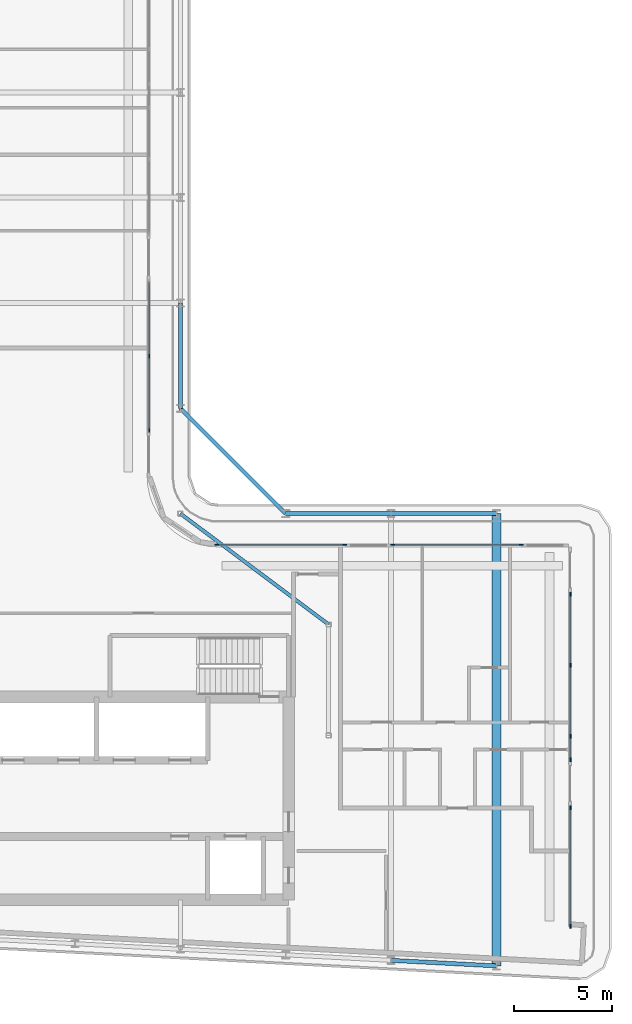
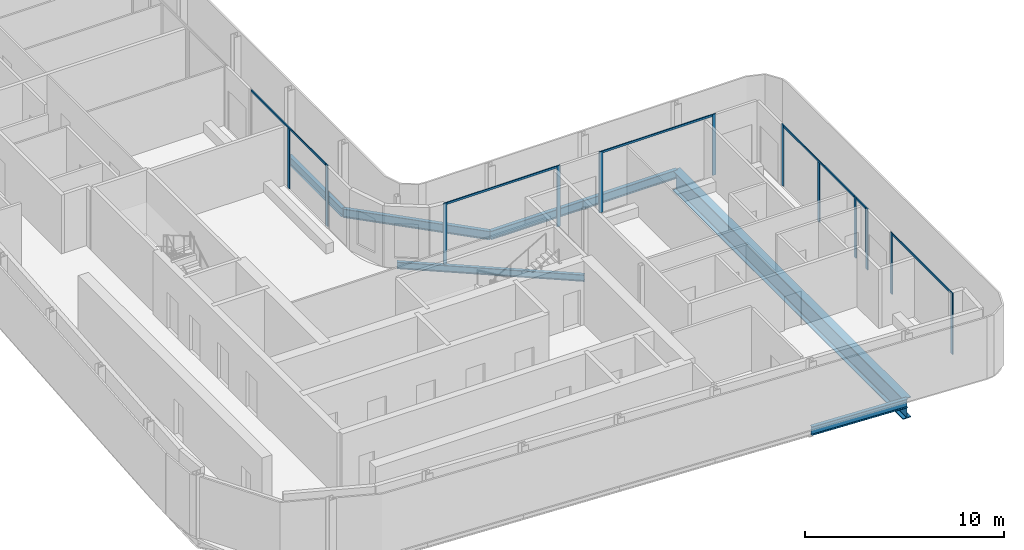
# One storey, part 6 of 21: 18 members, 7 beams, 6 elements without a shape of their own.
"""IFC4 building model written with IfcOpenShell, lengths in metres."""

from ifc_helpers import new_model, si_unit, direction, frame, origin, origin_2d, place, context, subcontext, project, spatial, rectangle, i_section, extrude, material, layer, layer_set, material_profile, profile_set, type_object, element, aggregate, save


model = new_model("IFC4")

# Units and contexts
model_context = context("Model", 3, precision=1e-05, world=origin(), true_north=direction((0.0, 1.0)))
body_context = subcontext(model_context, "Body", "Model", "MODEL_VIEW")
ifc_project = project(units=[si_unit("LENGTHUNIT", "METRE"), si_unit("AREAUNIT", "SQUARE_METRE"), si_unit("VOLUMEUNIT", "CUBIC_METRE"), si_unit("PLANEANGLEUNIT", "RADIAN"), si_unit("MASSUNIT", "GRAM", prefix="KILO")], contexts=[model_context])

# Site, building, storey
site_placement = place(None, origin())
site = spatial("IfcSite", under=ifc_project, at=site_placement, CompositionType="ELEMENT")
building_placement = place(site_placement, origin())
building = spatial("IfcBuilding", under=site, at=building_placement, Name="Kheshtan School and Residences Tower", CompositionType="ELEMENT")
storey_placement = place(building_placement, frame((0.0, 0.0, 290.300048828125)))
storey = spatial("IfcBuildingStorey", under=building, at=storey_placement, Name="L68", CompositionType="ELEMENT", Elevation=290.300048828125)

# Beams
ifc_material_1 = material(Name="Steel ASTM A992 Grade 50", Category="steel")
ifc_material_profile_1 = material_profile(ifc_material_1, i_section(OverallWidth=0.180908203125, OverallDepth=0.4169921875, WebThickness=0.010986328125, FlangeThickness=0.018310546875, FilletRadius=0.012451171875, at=origin_2d()), Name="W410x85")
ifc_profile_set_1 = profile_set([ifc_material_profile_1], Name="Steel ASTM A992 Grade 50")
beam_type_1 = type_object("IfcBeamType", Name="Beam FB3 W410x85 ASTM A992 Grade 50", PredefinedType="BEAM", material=ifc_profile_set_1)
beam_1_placement = place(storey_placement, frame((47.60009765625, 45.60009765625, -0.358642578125), z_axis=(0.800798828004, -0.598933416222, 0.0), x_axis=(0.598933416222, 0.800798828004, 0.0)))
element("IfcBeam", 1, at=beam_1_placement, inside=storey, type_object=beam_type_1, Name="Floor beam IC", PredefinedType="BEAM", context=body_context, shape_type="SweptSolid", body=[
    extrude(i_section(OverallWidth=0.180908203125, OverallDepth=0.4169921875, WebThickness=0.010986328125, FlangeThickness=0.018310546875, FilletRadius=0.012451171875, at=origin_2d()), origin(), (0.0, 0.0, 1.0), 9.490234375),
])
ifc_material_profile_2 = material_profile(ifc_material_1, i_section(OverallWidth=0.208984375, OverallDepth=0.532958984375, WebThickness=0.01025390625, FlangeThickness=0.015625, FilletRadius=0.013916015625, at=origin_2d()), Name="W530x92")
ifc_profile_set_2 = profile_set([ifc_material_profile_2], Name="Steel ASTM A992 Grade 50")
beam_type_2 = type_object("IfcBeamType", Name="Beam SP3 W530x92 ASTM A992 Grade 50", PredefinedType="BEAM", material=ifc_profile_set_2)
beam_2_placement = place(storey_placement, frame((47.60009765625, 56.39990234375, -0.41650390625), z_axis=(0.0, -1.0, 0.0), x_axis=(1.0, 0.0, 0.0)))
element("IfcBeam", 2, at=beam_2_placement, inside=storey, type_object=beam_type_2, Name="Spandrel beam C081-C079", PredefinedType="BEAM", context=body_context, shape_type="SweptSolid", body=[
    extrude(i_section(OverallWidth=0.208984375, OverallDepth=0.532958984375, WebThickness=0.01025390625, FlangeThickness=0.015625, FilletRadius=0.013916015625, at=origin_2d()), origin(), (0.0, 0.0, 1.0), 5.39990234375),
])
beam_3_placement = place(storey_placement, frame((47.60009765625, 51.0, -0.41650390625), z_axis=(0.707106781187, -0.707106781187, 0.0), x_axis=(0.707106781187, 0.707106781187, 0.0)))
element("IfcBeam", 3, at=beam_3_placement, inside=storey, type_object=beam_type_2, Name="Spandrel beam C079-C061", PredefinedType="BEAM", context=body_context, shape_type="SweptSolid", body=[
    extrude(i_section(OverallWidth=0.208984375, OverallDepth=0.532958984375, WebThickness=0.01025390625, FlangeThickness=0.015625, FilletRadius=0.013916015625, at=origin_2d()), origin(), (0.0, 0.0, 1.0), 7.63671875),
])
beam_4_placement = place(storey_placement, frame((53.0, 45.60009765625, -0.41650390625), z_axis=(1.0, 0.0, 0.0), x_axis=(0.0, 1.0, 0.0)))
element("IfcBeam", 4, at=beam_4_placement, inside=storey, type_object=beam_type_2, Name="Spandrel beam C061-C062", PredefinedType="BEAM", context=body_context, shape_type="SweptSolid", body=[
    extrude(i_section(OverallWidth=0.208984375, OverallDepth=0.532958984375, WebThickness=0.01025390625, FlangeThickness=0.015625, FilletRadius=0.013916015625, at=origin_2d()), origin(), (0.0, 0.0, 1.0), 5.39990234375),
])
beam_5_placement = place(storey_placement, frame((58.39990234375, 45.60009765625, -0.41650390625), z_axis=(1.0, 0.0, 0.0), x_axis=(0.0, 1.0, 0.0)))
element("IfcBeam", 5, at=beam_5_placement, inside=storey, type_object=beam_type_2, Name="Spandrel beam C062-C063", PredefinedType="BEAM", context=body_context, shape_type="SweptSolid", body=[
    extrude(i_section(OverallWidth=0.208984375, OverallDepth=0.532958984375, WebThickness=0.01025390625, FlangeThickness=0.015625, FilletRadius=0.013916015625, at=origin_2d()), origin(), (0.0, 0.0, 1.0), 5.400146484375),
])
beam_6_placement = place(storey_placement, frame((63.800048828125, 22.410888671875, -0.41650390625), z_axis=(-0.998618203458, 0.052551724256, 0.0), x_axis=(-0.052551724256, -0.998618203458, 0.0)))
element("IfcBeam", 6, at=beam_6_placement, inside=storey, type_object=beam_type_2, Name="Spandrel beam C016-C018", PredefinedType="BEAM", context=body_context, shape_type="SweptSolid", body=[
    extrude(i_section(OverallWidth=0.208984375, OverallDepth=0.532958984375, WebThickness=0.01025390625, FlangeThickness=0.015625, FilletRadius=0.013916015625, at=origin_2d()), origin(), (0.0, 0.0, 1.0), 5.40771484375),
])

# Curtain wall, members
ifc_material_2 = material(Name="Clear low-e glass in thermally broken aluminium frame", Category="aluminium")
ifc_layer = layer(ifc_material_2, 0.199951171875)
ifc_layer_set = layer_set([ifc_layer], Name="Curtain wall CW-L")
curtain_wall_type = type_object("IfcCurtainWallType", Name="Curtain wall CW-L", PredefinedType="NOTDEFINED", material=ifc_layer_set)
curtain_wall_1_placement = place(storey_placement, origin())
curtain_wall_1 = element("IfcCurtainWall", 7, at=curtain_wall_1_placement, inside=storey, type_object=curtain_wall_type, Name="Curtain wall CWL8", PredefinedType="NOTDEFINED")
ifc_material_3 = material(Name="Thermally broken aluminium, dark bronze anodised", Category="aluminium")
ifc_material_profile_3 = material_profile(ifc_material_3, rectangle(XDim=0.06005859375, YDim=0.199951171875, at=origin_2d()), Name="CW-L mullion 60x200")
ifc_profile_set_3 = profile_set([ifc_material_profile_3], Name="Thermally broken aluminium, dark bronze anodised")
member_type_1 = type_object("IfcMemberType", Name="CW-L mullion 60x200", PredefinedType="MULLION", material=ifc_profile_set_3)
member_1_placement = place(storey_placement, frame((46.0, 53.677001953125, 0.0), z_axis=(0.0, 0.0, 1.0), x_axis=(1.0, 0.0, 0.0)))
member_1 = element("IfcMember", 8, at=member_1_placement, type_object=member_type_1, Name="CWL8 mullion 2", PredefinedType="MULLION", context=body_context, shape_type="SweptSolid", body=[
    extrude(rectangle(XDim=0.06005859375, YDim=0.199951171875, at=origin_2d()), origin(), (0.0, 0.0, 1.0), 3.6298828125),
])
member_2_placement = place(storey_placement, frame((46.0, 49.860107421875, 0.0), z_axis=(0.0, 0.0, 1.0), x_axis=(1.0, 0.0, 0.0)))
member_2 = element("IfcMember", 9, at=member_2_placement, type_object=member_type_1, Name="CWL8 mullion 3", PredefinedType="MULLION", context=body_context, shape_type="SweptSolid", body=[
    extrude(rectangle(XDim=0.06005859375, YDim=0.199951171875, at=origin_2d()), origin(), (0.0, 0.0, 1.0), 3.75),
])

curtain_wall_2_placement = place(storey_placement, origin())
curtain_wall_2 = element("IfcCurtainWall", 10, at=curtain_wall_2_placement, inside=storey, type_object=curtain_wall_type, Name="Curtain wall CWL1233", PredefinedType="NOTDEFINED")
member_3_placement = place(storey_placement, frame((49.4599609375, 44.0, 0.0), z_axis=(0.0, 0.0, 1.0), x_axis=(0.0, 1.0, 0.0)))
member_3 = element("IfcMember", 11, at=member_3_placement, type_object=member_type_1, Name="CWL1233 mullion 1", PredefinedType="MULLION", context=body_context, shape_type="SweptSolid", body=[
    extrude(rectangle(XDim=0.06005859375, YDim=0.199951171875, at=origin_2d()), origin(), (0.0, 0.0, 1.0), 3.75),
])
member_4_placement = place(storey_placement, frame((56.034912109375, 44.0, 0.0), z_axis=(0.0, 0.0, 1.0), x_axis=(0.0, 1.0, 0.0)))
member_4 = element("IfcMember", 12, at=member_4_placement, type_object=member_type_1, Name="CWL1233 mullion 2", PredefinedType="MULLION", context=body_context, shape_type="SweptSolid", body=[
    extrude(rectangle(XDim=0.06005859375, YDim=0.199951171875, at=origin_2d()), origin(), (0.0, 0.0, 1.0), 3.75),
])

curtain_wall_3_placement = place(storey_placement, origin())
curtain_wall_3 = element("IfcCurtainWall", 13, at=curtain_wall_3_placement, inside=storey, type_object=curtain_wall_type, Name="Curtain wall CWL1233", PredefinedType="NOTDEFINED")
member_5_placement = place(storey_placement, frame((58.4951171875, 44.0, 0.0), z_axis=(0.0, 0.0, 1.0), x_axis=(0.0, 1.0, 0.0)))
member_5 = element("IfcMember", 14, at=member_5_placement, type_object=member_type_1, Name="CWL1233 mullion 1", PredefinedType="MULLION", context=body_context, shape_type="SweptSolid", body=[
    extrude(rectangle(XDim=0.06005859375, YDim=0.199951171875, at=origin_2d()), origin(), (0.0, 0.0, 1.0), 3.75),
])
member_6_placement = place(storey_placement, frame((65.070068359375, 44.0, 0.0), z_axis=(0.0, 0.0, 1.0), x_axis=(0.0, 1.0, 0.0)))
member_6 = element("IfcMember", 15, at=member_6_placement, type_object=member_type_1, Name="CWL1233 mullion 2", PredefinedType="MULLION", context=body_context, shape_type="SweptSolid", body=[
    extrude(rectangle(XDim=0.06005859375, YDim=0.199951171875, at=origin_2d()), origin(), (0.0, 0.0, 1.0), 3.75),
])

curtain_wall_4_placement = place(storey_placement, origin())
curtain_wall_4 = element("IfcCurtainWall", 16, at=curtain_wall_4_placement, inside=storey, type_object=curtain_wall_type, Name="Curtain wall CWL13e", PredefinedType="NOTDEFINED")
member_7_placement = place(storey_placement, frame((67.60009765625, 41.469970703125, 0.0), z_axis=(0.0, 0.0, 1.0), x_axis=(1.0, 0.0, 0.0)))
member_7 = element("IfcMember", 17, at=member_7_placement, type_object=member_type_1, Name="CWL13e mullion 1", PredefinedType="MULLION", context=body_context, shape_type="SweptSolid", body=[
    extrude(rectangle(XDim=0.06005859375, YDim=0.199951171875, at=origin_2d()), origin(), (0.0, 0.0, 1.0), 3.75),
])
member_8_placement = place(storey_placement, frame((67.60009765625, 37.829833984375, 0.0), z_axis=(0.0, 0.0, 1.0), x_axis=(1.0, 0.0, 0.0)))
member_8 = element("IfcMember", 18, at=member_8_placement, type_object=member_type_1, Name="CWL13e mullion 2", PredefinedType="MULLION", context=body_context, shape_type="SweptSolid", body=[
    extrude(rectangle(XDim=0.06005859375, YDim=0.199951171875, at=origin_2d()), origin(), (0.0, 0.0, 1.0), 3.6298828125),
])
member_9_placement = place(storey_placement, frame((67.60009765625, 34.189453125, 0.0), z_axis=(0.0, 0.0, 1.0), x_axis=(1.0, 0.0, 0.0)))
member_9 = element("IfcMember", 19, at=member_9_placement, type_object=member_type_1, Name="CWL13e mullion 3", PredefinedType="MULLION", context=body_context, shape_type="SweptSolid", body=[
    extrude(rectangle(XDim=0.06005859375, YDim=0.199951171875, at=origin_2d()), origin(), (0.0, 0.0, 1.0), 3.75),
])

# Curtain wall, member
curtain_wall_5_placement = place(storey_placement, origin())
curtain_wall_5 = element("IfcCurtainWall", 20, at=curtain_wall_5_placement, inside=storey, type_object=curtain_wall_type, Name="Curtain wall CWL13f", PredefinedType="NOTDEFINED")
member_10_placement = place(storey_placement, frame((67.60009765625, 32.989501953125, 0.0), z_axis=(0.0, 0.0, 1.0), x_axis=(1.0, 0.0, 0.0)))
member_10 = element("IfcMember", 21, at=member_10_placement, type_object=member_type_1, Name="CWL13f mullion 2", PredefinedType="MULLION", context=body_context, shape_type="SweptSolid", body=[
    extrude(rectangle(XDim=0.06005859375, YDim=0.199951171875, at=origin_2d()), origin(), (0.0, 0.0, 1.0), 3.75),
])

# Curtain wall, members
curtain_wall_6_placement = place(storey_placement, origin())
curtain_wall_6 = element("IfcCurtainWall", 22, at=curtain_wall_6_placement, inside=storey, type_object=curtain_wall_type, Name="Curtain wall CWL13g", PredefinedType="NOTDEFINED")
member_11_placement = place(storey_placement, frame((67.60009765625, 30.529541015625, 0.0), z_axis=(0.0, 0.0, 1.0), x_axis=(1.0, 0.0, 0.0)))
member_11 = element("IfcMember", 23, at=member_11_placement, type_object=member_type_1, Name="CWL13g mullion 1", PredefinedType="MULLION", context=body_context, shape_type="SweptSolid", body=[
    extrude(rectangle(XDim=0.06005859375, YDim=0.199951171875, at=origin_2d()), origin(), (0.0, 0.0, 1.0), 3.75),
])
member_12_placement = place(storey_placement, frame((67.60009765625, 24.448974609375, 0.0), z_axis=(0.0, 0.0, 1.0), x_axis=(1.0, 0.0, 0.0)))
member_12 = element("IfcMember", 24, at=member_12_placement, type_object=member_type_1, Name="CWL13g mullion 2", PredefinedType="MULLION", context=body_context, shape_type="SweptSolid", body=[
    extrude(rectangle(XDim=0.06005859375, YDim=0.199951171875, at=origin_2d()), origin(), (0.0, 0.0, 1.0), 3.75),
])

# Member
ifc_material_profile_4 = material_profile(ifc_material_3, rectangle(XDim=0.06005859375, YDim=0.1201171875, at=origin_2d()), Name="CW-L transom 60x120")
ifc_profile_set_4 = profile_set([ifc_material_profile_4], Name="Thermally broken aluminium, dark bronze anodised")
member_type_2 = type_object("IfcMemberType", Name="CW-L transom 60x120", PredefinedType="USERDEFINED", material=ifc_profile_set_4)
member_13_placement = place(storey_placement, frame((46.0, 57.464111328125, 3.68994140625), z_axis=(0.0, -1.0, 0.0), x_axis=(1.0, 0.0, 0.0)))
member_13 = element("IfcMember", 25, at=member_13_placement, type_object=member_type_2, Name="CWL8 transom 1", ObjectType="TRANSOM", PredefinedType="USERDEFINED", context=body_context, shape_type="SweptSolid", body=[
    extrude(rectangle(XDim=0.06005859375, YDim=0.1201171875, at=origin_2d()), origin(), (0.0, 0.0, 1.0), 7.57421875),
])

aggregate(curtain_wall_1, [member_1, member_2, member_13])

member_14_placement = place(storey_placement, frame((49.489990234375, 44.0, 3.68994140625), z_axis=(1.0, 0.0, 0.0), x_axis=(0.0, 1.0, 0.0)))
member_14 = element("IfcMember", 26, at=member_14_placement, type_object=member_type_2, Name="CWL1233 transom 1", ObjectType="TRANSOM", PredefinedType="USERDEFINED", context=body_context, shape_type="SweptSolid", body=[
    extrude(rectangle(XDim=0.06005859375, YDim=0.1201171875, at=origin_2d()), origin(), (0.0, 0.0, 1.0), 6.514892578125),
])

aggregate(curtain_wall_2, [member_3, member_4, member_14])

member_15_placement = place(storey_placement, frame((58.52490234375, 44.0, 3.68994140625), z_axis=(1.0, 0.0, 0.0), x_axis=(0.0, 1.0, 0.0)))
member_15 = element("IfcMember", 27, at=member_15_placement, type_object=member_type_2, Name="CWL1233 transom 1", ObjectType="TRANSOM", PredefinedType="USERDEFINED", context=body_context, shape_type="SweptSolid", body=[
    extrude(rectangle(XDim=0.06005859375, YDim=0.1201171875, at=origin_2d()), origin(), (0.0, 0.0, 1.0), 6.51513671875),
])

aggregate(curtain_wall_3, [member_5, member_6, member_15])

member_16_placement = place(storey_placement, frame((67.60009765625, 41.43994140625, 3.68994140625), z_axis=(0.0, -1.0, 0.0), x_axis=(1.0, 0.0, 0.0)))
member_16 = element("IfcMember", 28, at=member_16_placement, type_object=member_type_2, Name="CWL13e transom 1", ObjectType="TRANSOM", PredefinedType="USERDEFINED", context=body_context, shape_type="SweptSolid", body=[
    extrude(rectangle(XDim=0.06005859375, YDim=0.1201171875, at=origin_2d()), origin(), (0.0, 0.0, 1.0), 7.220458984375),
])

aggregate(curtain_wall_4, [member_7, member_8, member_9, member_16])

member_17_placement = place(storey_placement, frame((67.60009765625, 34.159423828125, 3.68994140625), z_axis=(0.0, -1.0, 0.0), x_axis=(1.0, 0.0, 0.0)))
member_17 = element("IfcMember", 29, at=member_17_placement, type_object=member_type_2, Name="CWL13f transom 1", ObjectType="TRANSOM", PredefinedType="USERDEFINED", context=body_context, shape_type="SweptSolid", body=[
    extrude(rectangle(XDim=0.06005859375, YDim=0.1201171875, at=origin_2d()), origin(), (0.0, 0.0, 1.0), 1.139892578125),
])

aggregate(curtain_wall_5, [member_10, member_17])

member_18_placement = place(storey_placement, frame((67.60009765625, 30.49951171875, 3.68994140625), z_axis=(0.0, -1.0, 0.0), x_axis=(1.0, 0.0, 0.0)))
member_18 = element("IfcMember", 30, at=member_18_placement, type_object=member_type_2, Name="CWL13g transom 1", ObjectType="TRANSOM", PredefinedType="USERDEFINED", context=body_context, shape_type="SweptSolid", body=[
    extrude(rectangle(XDim=0.06005859375, YDim=0.1201171875, at=origin_2d()), origin(), (0.0, 0.0, 1.0), 6.0205078125),
])

aggregate(curtain_wall_6, [member_11, member_12, member_18])

# Beam
ifc_material_profile_5 = material_profile(ifc_material_1, i_section(OverallWidth=0.449951171875, OverallDepth=1.25, WebThickness=0.02490234375, FlangeThickness=0.044921875, FilletRadius=0.03759765625, at=origin_2d()), Name="WWF1250x546")
ifc_profile_set_5 = profile_set([ifc_material_profile_5], Name="Steel ASTM A992 Grade 50")
beam_type_3 = type_object("IfcBeamType", Name="Transfer girder TG4 WWF1250x546 ASTM A992 Grade 50", PredefinedType="BEAM", material=ifc_profile_set_5)
beam_7_placement = place(storey_placement, frame((63.800048828125, 45.60009765625, -0.775146484375), z_axis=(0.0, -1.0, 0.0), x_axis=(1.0, 0.0, 0.0)))
element("IfcBeam", 31, at=beam_7_placement, inside=storey, type_object=beam_type_3, Name="Transfer girder C063-C016", PredefinedType="BEAM", context=body_context, shape_type="SweptSolid", body=[
    extrude(i_section(OverallWidth=0.449951171875, OverallDepth=1.25, WebThickness=0.02490234375, FlangeThickness=0.044921875, FilletRadius=0.03759765625, at=origin_2d()), origin(), (0.0, 0.0, 1.0), 23.189208984375),
])

save(model, "model.ifc")
